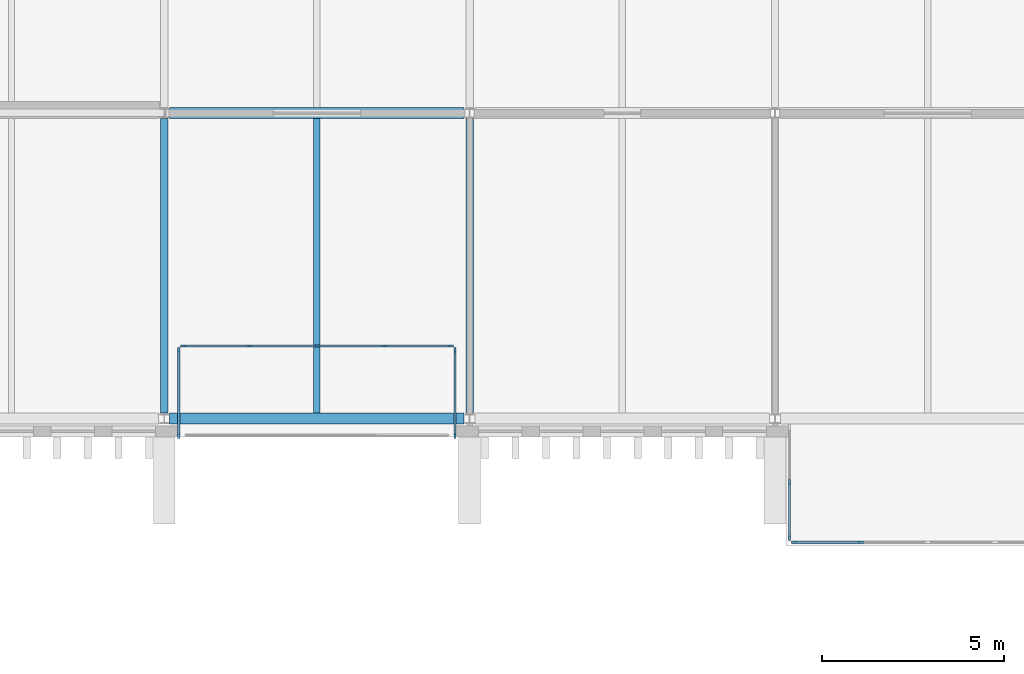
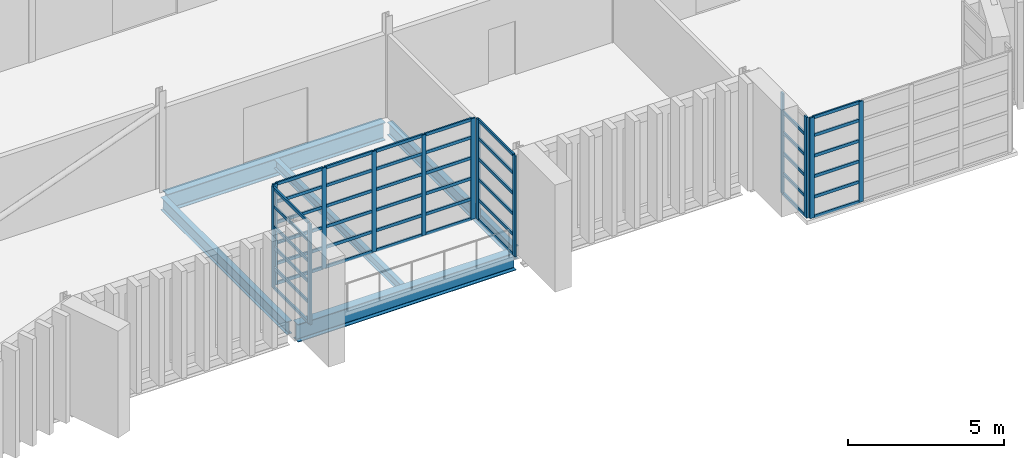
# One storey, part 24 of 88: 60 members, 5 beams, 5 elements without a shape of their own.
"""IFC4 building model written with IfcOpenShell, lengths in metres."""

from ifc_helpers import new_model, si_unit, direction, frame, origin, origin_2d, place, context, subcontext, project, spatial, rectangle, i_section, extrude, material, layer, layer_set, material_profile, profile_set, type_object, element, aggregate, save


model = new_model("IFC4")

# Units and contexts
model_context = context("Model", 3, precision=1e-05, world=origin(), true_north=direction((0.0, 1.0)))
body_context = subcontext(model_context, "Body", "Model", "MODEL_VIEW")
ifc_project = project(units=[si_unit("LENGTHUNIT", "METRE"), si_unit("AREAUNIT", "SQUARE_METRE"), si_unit("VOLUMEUNIT", "CUBIC_METRE"), si_unit("PLANEANGLEUNIT", "RADIAN"), si_unit("MASSUNIT", "GRAM", prefix="KILO")], contexts=[model_context])

# Site, building, storey
site_placement = place(None, origin())
site = spatial("IfcSite", under=ifc_project, at=site_placement, CompositionType="ELEMENT")
building_placement = place(site_placement, origin())
building = spatial("IfcBuilding", under=site, at=building_placement, Name="Cresset Court Congress Hotel", CompositionType="ELEMENT")
storey_placement = place(building_placement, frame((0.0, 0.0, 14.39990234375)))
storey = spatial("IfcBuildingStorey", under=building, at=storey_placement, Name="L03", CompositionType="ELEMENT", Elevation=14.39990234375)

# Curtain wall, members
ifc_material_1 = material(Name="Aluminium frame with double glazing", Category="aluminium")
ifc_layer = layer(ifc_material_1, 0.199951171875)
ifc_layer_set = layer_set([ifc_layer], Name="Glazed box curtain wall 1680 module")
curtain_wall_type = type_object("IfcCurtainWallType", Name="Glazed box curtain wall 1680 module", PredefinedType="NOTDEFINED", material=ifc_layer_set)
curtain_wall_1_placement = place(storey_placement, origin())
curtain_wall_1 = element("IfcCurtainWall", 1, at=curtain_wall_1_placement, inside=storey, type_object=curtain_wall_type, Name="Glazed box S0311 front", PredefinedType="NOTDEFINED")
ifc_material_2 = material(Name="Aluminium", Category="aluminium")
ifc_material_profile_1 = material_profile(ifc_material_2, rectangle(XDim=0.06005859375, YDim=0.159912109375, at=origin_2d()), Name="Box mullion 60x160")
ifc_profile_set_1 = profile_set([ifc_material_profile_1], Name="Aluminium")
member_type_1 = type_object("IfcMemberType", Name="Box mullion 60x160", PredefinedType="MULLION", material=ifc_profile_set_1)
member_1_placement = place(storey_placement, frame((76.1298828125, 2.0, 0.0), z_axis=(0.0, 0.0, 1.0), x_axis=(0.0, 1.0, 0.0)))
member_1 = element("IfcMember", 2, at=member_1_placement, type_object=member_type_1, Name="B-X1 mullion 1", PredefinedType="MULLION", context=body_context, shape_type="SweptSolid", body=[
    extrude(rectangle(XDim=0.06005859375, YDim=0.159912109375, at=origin_2d()), origin(), (0.0, 0.0, 1.0), 3.9501953125),
])
member_2_placement = place(storey_placement, frame((77.949951171875, 2.0, 0.0), z_axis=(0.0, 0.0, 1.0), x_axis=(0.0, 1.0, 0.0)))
member_2 = element("IfcMember", 3, at=member_2_placement, type_object=member_type_1, Name="B-X1 mullion 2", PredefinedType="MULLION", context=body_context, shape_type="SweptSolid", body=[
    extrude(rectangle(XDim=0.06005859375, YDim=0.159912109375, at=origin_2d()), origin(), (0.0, 0.0, 1.0), 3.9501953125),
])
member_3_placement = place(storey_placement, frame((79.800048828125, 2.0, 0.0), z_axis=(0.0, 0.0, 1.0), x_axis=(0.0, 1.0, 0.0)))
member_3 = element("IfcMember", 4, at=member_3_placement, type_object=member_type_1, Name="B-X1 mullion 3", PredefinedType="MULLION", context=body_context, shape_type="SweptSolid", body=[
    extrude(rectangle(XDim=0.06005859375, YDim=0.159912109375, at=origin_2d()), origin(), (0.0, 0.0, 1.0), 3.9501953125),
])
member_4_placement = place(storey_placement, frame((81.64990234375, 2.0, 0.0), z_axis=(0.0, 0.0, 1.0), x_axis=(0.0, 1.0, 0.0)))
member_4 = element("IfcMember", 5, at=member_4_placement, type_object=member_type_1, Name="B-X1 mullion 4", PredefinedType="MULLION", context=body_context, shape_type="SweptSolid", body=[
    extrude(rectangle(XDim=0.06005859375, YDim=0.159912109375, at=origin_2d()), origin(), (0.0, 0.0, 1.0), 3.9501953125),
])
member_5_placement = place(storey_placement, frame((83.469970703125, 2.0, 0.0), z_axis=(0.0, 0.0, 1.0), x_axis=(0.0, 1.0, 0.0)))
member_5 = element("IfcMember", 6, at=member_5_placement, type_object=member_type_1, Name="B-X1 mullion 5", PredefinedType="MULLION", context=body_context, shape_type="SweptSolid", body=[
    extrude(rectangle(XDim=0.06005859375, YDim=0.159912109375, at=origin_2d()), origin(), (0.0, 0.0, 1.0), 3.9501953125),
])

curtain_wall_2_placement = place(storey_placement, origin())
curtain_wall_2 = element("IfcCurtainWall", 7, at=curtain_wall_2_placement, inside=storey, type_object=curtain_wall_type, Name="Glazed box S0311 side", PredefinedType="NOTDEFINED")
member_6_placement = place(storey_placement, frame((76.0, -0.469970703125, 0.0), z_axis=(0.0, 0.0, 1.0), x_axis=(-1.0, 0.0, 0.0)))
member_6 = element("IfcMember", 8, at=member_6_placement, type_object=member_type_1, Name="B-X1 mullion 1", PredefinedType="MULLION", context=body_context, shape_type="SweptSolid", body=[
    extrude(rectangle(XDim=0.06005859375, YDim=0.159912109375, at=origin_2d()), origin(), (0.0, 0.0, 1.0), 3.9501953125),
])
member_7_placement = place(storey_placement, frame((76.0, 1.8701171875, 0.0), z_axis=(0.0, 0.0, 1.0), x_axis=(-1.0, 0.0, 0.0)))
member_7 = element("IfcMember", 9, at=member_7_placement, type_object=member_type_1, Name="B-X1 mullion 2", PredefinedType="MULLION", context=body_context, shape_type="SweptSolid", body=[
    extrude(rectangle(XDim=0.06005859375, YDim=0.159912109375, at=origin_2d()), origin(), (0.0, 0.0, 1.0), 3.9501953125),
])

curtain_wall_3_placement = place(storey_placement, origin())
curtain_wall_3 = element("IfcCurtainWall", 10, at=curtain_wall_3_placement, inside=storey, type_object=curtain_wall_type, Name="Glazed box S0311 side", PredefinedType="NOTDEFINED")
member_8_placement = place(storey_placement, frame((83.60009765625, -0.469970703125, 0.0), z_axis=(0.0, 0.0, 1.0), x_axis=(-1.0, 0.0, 0.0)))
member_8 = element("IfcMember", 11, at=member_8_placement, type_object=member_type_1, Name="B-X1 mullion 1", PredefinedType="MULLION", context=body_context, shape_type="SweptSolid", body=[
    extrude(rectangle(XDim=0.06005859375, YDim=0.159912109375, at=origin_2d()), origin(), (0.0, 0.0, 1.0), 3.9501953125),
])
member_9_placement = place(storey_placement, frame((83.60009765625, 1.8701171875, 0.0), z_axis=(0.0, 0.0, 1.0), x_axis=(-1.0, 0.0, 0.0)))
member_9 = element("IfcMember", 12, at=member_9_placement, type_object=member_type_1, Name="B-X1 mullion 2", PredefinedType="MULLION", context=body_context, shape_type="SweptSolid", body=[
    extrude(rectangle(XDim=0.06005859375, YDim=0.159912109375, at=origin_2d()), origin(), (0.0, 0.0, 1.0), 3.9501953125),
])

curtain_wall_4_placement = place(storey_placement, origin())
curtain_wall_4 = element("IfcCurtainWall", 13, at=curtain_wall_4_placement, inside=storey, type_object=curtain_wall_type, Name="Glazed box S0314 front", PredefinedType="NOTDEFINED")
member_10_placement = place(storey_placement, frame((92.929931640625, -3.39990234375, 0.0), z_axis=(0.0, 0.0, 1.0), x_axis=(0.0, 1.0, 0.0)))
member_10 = element("IfcMember", 14, at=member_10_placement, type_object=member_type_1, Name="B-X1 mullion 1", PredefinedType="MULLION", context=body_context, shape_type="SweptSolid", body=[
    extrude(rectangle(XDim=0.06005859375, YDim=0.159912109375, at=origin_2d()), origin(), (0.0, 0.0, 1.0), 3.9501953125),
])
member_11_placement = place(storey_placement, frame((94.75, -3.39990234375, 0.0), z_axis=(0.0, 0.0, 1.0), x_axis=(0.0, 1.0, 0.0)))
member_11 = element("IfcMember", 15, at=member_11_placement, type_object=member_type_1, Name="B-X1 mullion 2", PredefinedType="MULLION", context=body_context, shape_type="SweptSolid", body=[
    extrude(rectangle(XDim=0.06005859375, YDim=0.159912109375, at=origin_2d()), origin(), (0.0, 0.0, 1.0), 3.9501953125),
])

curtain_wall_5_placement = place(storey_placement, origin())
curtain_wall_5 = element("IfcCurtainWall", 16, at=curtain_wall_5_placement, inside=storey, type_object=curtain_wall_type, Name="Glazed box S0314 side", PredefinedType="NOTDEFINED")
member_12_placement = place(storey_placement, frame((92.800048828125, -1.75, 0.0), z_axis=(0.0, 0.0, 1.0), x_axis=(1.0, 0.0, 0.0)))
member_12 = element("IfcMember", 17, at=member_12_placement, type_object=member_type_1, Name="B-X1 mullion 2", PredefinedType="MULLION", context=body_context, shape_type="SweptSolid", body=[
    extrude(rectangle(XDim=0.06005859375, YDim=0.159912109375, at=origin_2d()), origin(), (0.0, 0.0, 1.0), 3.9501953125),
])
member_13_placement = place(storey_placement, frame((92.800048828125, -3.27001953125, 0.0), z_axis=(0.0, 0.0, 1.0), x_axis=(1.0, 0.0, 0.0)))
member_13 = element("IfcMember", 18, at=member_13_placement, type_object=member_type_1, Name="B-X1 mullion 3", PredefinedType="MULLION", context=body_context, shape_type="SweptSolid", body=[
    extrude(rectangle(XDim=0.06005859375, YDim=0.159912109375, at=origin_2d()), origin(), (0.0, 0.0, 1.0), 3.9501953125),
])

# Member
ifc_material_3 = material(Name="Aluminium", Category="aluminium")
ifc_material_profile_2 = material_profile(ifc_material_3, rectangle(XDim=0.06005859375, YDim=0.1201171875, at=origin_2d()), Name="Box transom 60x120")
ifc_profile_set_2 = profile_set([ifc_material_profile_2], Name="Aluminium")
member_type_2 = type_object("IfcMemberType", Name="Box transom 60x120", PredefinedType="USERDEFINED", material=ifc_profile_set_2)
member_14_placement = place(storey_placement, frame((76.159912109375, 2.0, 0.030029296875), z_axis=(1.0, 0.0, 0.0), x_axis=(0.0, 1.0, 0.0)))
member_14 = element("IfcMember", 19, at=member_14_placement, type_object=member_type_2, Name="B-X1 transom 1.1", ObjectType="TRANSOM", PredefinedType="USERDEFINED", context=body_context, shape_type="SweptSolid", body=[
    extrude(rectangle(XDim=0.06005859375, YDim=0.1201171875, at=origin_2d()), origin(), (0.0, 0.0, 1.0), 1.760009765625),
])

member_15_placement = place(storey_placement, frame((76.159912109375, 2.0, 0.80517578125), z_axis=(1.0, 0.0, 0.0), x_axis=(0.0, 1.0, 0.0)))
member_15 = element("IfcMember", 20, at=member_15_placement, type_object=member_type_2, Name="B-X1 transom 1.2", ObjectType="TRANSOM", PredefinedType="USERDEFINED", context=body_context, shape_type="SweptSolid", body=[
    extrude(rectangle(XDim=0.06005859375, YDim=0.1201171875, at=origin_2d()), origin(), (0.0, 0.0, 1.0), 1.760009765625),
])

member_16_placement = place(storey_placement, frame((76.159912109375, 2.0, 1.610107421875), z_axis=(1.0, 0.0, 0.0), x_axis=(0.0, 1.0, 0.0)))
member_16 = element("IfcMember", 21, at=member_16_placement, type_object=member_type_2, Name="B-X1 transom 1.3", ObjectType="TRANSOM", PredefinedType="USERDEFINED", context=body_context, shape_type="SweptSolid", body=[
    extrude(rectangle(XDim=0.06005859375, YDim=0.1201171875, at=origin_2d()), origin(), (0.0, 0.0, 1.0), 1.760009765625),
])

member_17_placement = place(storey_placement, frame((76.159912109375, 2.0, 2.4150390625), z_axis=(1.0, 0.0, 0.0), x_axis=(0.0, 1.0, 0.0)))
member_17 = element("IfcMember", 22, at=member_17_placement, type_object=member_type_2, Name="B-X1 transom 1.4", ObjectType="TRANSOM", PredefinedType="USERDEFINED", context=body_context, shape_type="SweptSolid", body=[
    extrude(rectangle(XDim=0.06005859375, YDim=0.1201171875, at=origin_2d()), origin(), (0.0, 0.0, 1.0), 1.760009765625),
])

member_18_placement = place(storey_placement, frame((76.159912109375, 2.0, 3.22021484375), z_axis=(1.0, 0.0, 0.0), x_axis=(0.0, 1.0, 0.0)))
member_18 = element("IfcMember", 23, at=member_18_placement, type_object=member_type_2, Name="B-X1 transom 1.5", ObjectType="TRANSOM", PredefinedType="USERDEFINED", context=body_context, shape_type="SweptSolid", body=[
    extrude(rectangle(XDim=0.06005859375, YDim=0.1201171875, at=origin_2d()), origin(), (0.0, 0.0, 1.0), 1.760009765625),
])

member_19_placement = place(storey_placement, frame((76.159912109375, 2.0, 3.920166015625), z_axis=(1.0, 0.0, 0.0), x_axis=(0.0, 1.0, 0.0)))
member_19 = element("IfcMember", 24, at=member_19_placement, type_object=member_type_2, Name="B-X1 transom 1.6", ObjectType="TRANSOM", PredefinedType="USERDEFINED", context=body_context, shape_type="SweptSolid", body=[
    extrude(rectangle(XDim=0.06005859375, YDim=0.1201171875, at=origin_2d()), origin(), (0.0, 0.0, 1.0), 1.760009765625),
])

member_20_placement = place(storey_placement, frame((77.97998046875, 2.0, 0.030029296875), z_axis=(1.0, 0.0, 0.0), x_axis=(0.0, 1.0, 0.0)))
member_20 = element("IfcMember", 25, at=member_20_placement, type_object=member_type_2, Name="B-X1 transom 2.1", ObjectType="TRANSOM", PredefinedType="USERDEFINED", context=body_context, shape_type="SweptSolid", body=[
    extrude(rectangle(XDim=0.06005859375, YDim=0.1201171875, at=origin_2d()), origin(), (0.0, 0.0, 1.0), 1.7900390625),
])

member_21_placement = place(storey_placement, frame((77.97998046875, 2.0, 0.80517578125), z_axis=(1.0, 0.0, 0.0), x_axis=(0.0, 1.0, 0.0)))
member_21 = element("IfcMember", 26, at=member_21_placement, type_object=member_type_2, Name="B-X1 transom 2.2", ObjectType="TRANSOM", PredefinedType="USERDEFINED", context=body_context, shape_type="SweptSolid", body=[
    extrude(rectangle(XDim=0.06005859375, YDim=0.1201171875, at=origin_2d()), origin(), (0.0, 0.0, 1.0), 1.7900390625),
])

member_22_placement = place(storey_placement, frame((77.97998046875, 2.0, 1.610107421875), z_axis=(1.0, 0.0, 0.0), x_axis=(0.0, 1.0, 0.0)))
member_22 = element("IfcMember", 27, at=member_22_placement, type_object=member_type_2, Name="B-X1 transom 2.3", ObjectType="TRANSOM", PredefinedType="USERDEFINED", context=body_context, shape_type="SweptSolid", body=[
    extrude(rectangle(XDim=0.06005859375, YDim=0.1201171875, at=origin_2d()), origin(), (0.0, 0.0, 1.0), 1.7900390625),
])

member_23_placement = place(storey_placement, frame((77.97998046875, 2.0, 2.4150390625), z_axis=(1.0, 0.0, 0.0), x_axis=(0.0, 1.0, 0.0)))
member_23 = element("IfcMember", 28, at=member_23_placement, type_object=member_type_2, Name="B-X1 transom 2.4", ObjectType="TRANSOM", PredefinedType="USERDEFINED", context=body_context, shape_type="SweptSolid", body=[
    extrude(rectangle(XDim=0.06005859375, YDim=0.1201171875, at=origin_2d()), origin(), (0.0, 0.0, 1.0), 1.7900390625),
])

member_24_placement = place(storey_placement, frame((77.97998046875, 2.0, 3.22021484375), z_axis=(1.0, 0.0, 0.0), x_axis=(0.0, 1.0, 0.0)))
member_24 = element("IfcMember", 29, at=member_24_placement, type_object=member_type_2, Name="B-X1 transom 2.5", ObjectType="TRANSOM", PredefinedType="USERDEFINED", context=body_context, shape_type="SweptSolid", body=[
    extrude(rectangle(XDim=0.06005859375, YDim=0.1201171875, at=origin_2d()), origin(), (0.0, 0.0, 1.0), 1.7900390625),
])

member_25_placement = place(storey_placement, frame((77.97998046875, 2.0, 3.920166015625), z_axis=(1.0, 0.0, 0.0), x_axis=(0.0, 1.0, 0.0)))
member_25 = element("IfcMember", 30, at=member_25_placement, type_object=member_type_2, Name="B-X1 transom 2.6", ObjectType="TRANSOM", PredefinedType="USERDEFINED", context=body_context, shape_type="SweptSolid", body=[
    extrude(rectangle(XDim=0.06005859375, YDim=0.1201171875, at=origin_2d()), origin(), (0.0, 0.0, 1.0), 1.7900390625),
])

member_26_placement = place(storey_placement, frame((79.830078125, 2.0, 0.030029296875), z_axis=(1.0, 0.0, 0.0), x_axis=(0.0, 1.0, 0.0)))
member_26 = element("IfcMember", 31, at=member_26_placement, type_object=member_type_2, Name="B-X1 transom 3.1", ObjectType="TRANSOM", PredefinedType="USERDEFINED", context=body_context, shape_type="SweptSolid", body=[
    extrude(rectangle(XDim=0.06005859375, YDim=0.1201171875, at=origin_2d()), origin(), (0.0, 0.0, 1.0), 1.7900390625),
])

member_27_placement = place(storey_placement, frame((79.830078125, 2.0, 0.80517578125), z_axis=(1.0, 0.0, 0.0), x_axis=(0.0, 1.0, 0.0)))
member_27 = element("IfcMember", 32, at=member_27_placement, type_object=member_type_2, Name="B-X1 transom 3.2", ObjectType="TRANSOM", PredefinedType="USERDEFINED", context=body_context, shape_type="SweptSolid", body=[
    extrude(rectangle(XDim=0.06005859375, YDim=0.1201171875, at=origin_2d()), origin(), (0.0, 0.0, 1.0), 1.7900390625),
])

member_28_placement = place(storey_placement, frame((79.830078125, 2.0, 1.610107421875), z_axis=(1.0, 0.0, 0.0), x_axis=(0.0, 1.0, 0.0)))
member_28 = element("IfcMember", 33, at=member_28_placement, type_object=member_type_2, Name="B-X1 transom 3.3", ObjectType="TRANSOM", PredefinedType="USERDEFINED", context=body_context, shape_type="SweptSolid", body=[
    extrude(rectangle(XDim=0.06005859375, YDim=0.1201171875, at=origin_2d()), origin(), (0.0, 0.0, 1.0), 1.7900390625),
])

member_29_placement = place(storey_placement, frame((79.830078125, 2.0, 2.4150390625), z_axis=(1.0, 0.0, 0.0), x_axis=(0.0, 1.0, 0.0)))
member_29 = element("IfcMember", 34, at=member_29_placement, type_object=member_type_2, Name="B-X1 transom 3.4", ObjectType="TRANSOM", PredefinedType="USERDEFINED", context=body_context, shape_type="SweptSolid", body=[
    extrude(rectangle(XDim=0.06005859375, YDim=0.1201171875, at=origin_2d()), origin(), (0.0, 0.0, 1.0), 1.7900390625),
])

member_30_placement = place(storey_placement, frame((79.830078125, 2.0, 3.22021484375), z_axis=(1.0, 0.0, 0.0), x_axis=(0.0, 1.0, 0.0)))
member_30 = element("IfcMember", 35, at=member_30_placement, type_object=member_type_2, Name="B-X1 transom 3.5", ObjectType="TRANSOM", PredefinedType="USERDEFINED", context=body_context, shape_type="SweptSolid", body=[
    extrude(rectangle(XDim=0.06005859375, YDim=0.1201171875, at=origin_2d()), origin(), (0.0, 0.0, 1.0), 1.7900390625),
])

member_31_placement = place(storey_placement, frame((79.830078125, 2.0, 3.920166015625), z_axis=(1.0, 0.0, 0.0), x_axis=(0.0, 1.0, 0.0)))
member_31 = element("IfcMember", 36, at=member_31_placement, type_object=member_type_2, Name="B-X1 transom 3.6", ObjectType="TRANSOM", PredefinedType="USERDEFINED", context=body_context, shape_type="SweptSolid", body=[
    extrude(rectangle(XDim=0.06005859375, YDim=0.1201171875, at=origin_2d()), origin(), (0.0, 0.0, 1.0), 1.7900390625),
])

member_32_placement = place(storey_placement, frame((81.679931640625, 2.0, 0.030029296875), z_axis=(1.0, 0.0, 0.0), x_axis=(0.0, 1.0, 0.0)))
member_32 = element("IfcMember", 37, at=member_32_placement, type_object=member_type_2, Name="B-X1 transom 4.1", ObjectType="TRANSOM", PredefinedType="USERDEFINED", context=body_context, shape_type="SweptSolid", body=[
    extrude(rectangle(XDim=0.06005859375, YDim=0.1201171875, at=origin_2d()), origin(), (0.0, 0.0, 1.0), 1.760009765625),
])

member_33_placement = place(storey_placement, frame((81.679931640625, 2.0, 0.80517578125), z_axis=(1.0, 0.0, 0.0), x_axis=(0.0, 1.0, 0.0)))
member_33 = element("IfcMember", 38, at=member_33_placement, type_object=member_type_2, Name="B-X1 transom 4.2", ObjectType="TRANSOM", PredefinedType="USERDEFINED", context=body_context, shape_type="SweptSolid", body=[
    extrude(rectangle(XDim=0.06005859375, YDim=0.1201171875, at=origin_2d()), origin(), (0.0, 0.0, 1.0), 1.760009765625),
])

member_34_placement = place(storey_placement, frame((81.679931640625, 2.0, 1.610107421875), z_axis=(1.0, 0.0, 0.0), x_axis=(0.0, 1.0, 0.0)))
member_34 = element("IfcMember", 39, at=member_34_placement, type_object=member_type_2, Name="B-X1 transom 4.3", ObjectType="TRANSOM", PredefinedType="USERDEFINED", context=body_context, shape_type="SweptSolid", body=[
    extrude(rectangle(XDim=0.06005859375, YDim=0.1201171875, at=origin_2d()), origin(), (0.0, 0.0, 1.0), 1.760009765625),
])

member_35_placement = place(storey_placement, frame((81.679931640625, 2.0, 2.4150390625), z_axis=(1.0, 0.0, 0.0), x_axis=(0.0, 1.0, 0.0)))
member_35 = element("IfcMember", 40, at=member_35_placement, type_object=member_type_2, Name="B-X1 transom 4.4", ObjectType="TRANSOM", PredefinedType="USERDEFINED", context=body_context, shape_type="SweptSolid", body=[
    extrude(rectangle(XDim=0.06005859375, YDim=0.1201171875, at=origin_2d()), origin(), (0.0, 0.0, 1.0), 1.760009765625),
])

member_36_placement = place(storey_placement, frame((81.679931640625, 2.0, 3.22021484375), z_axis=(1.0, 0.0, 0.0), x_axis=(0.0, 1.0, 0.0)))
member_36 = element("IfcMember", 41, at=member_36_placement, type_object=member_type_2, Name="B-X1 transom 4.5", ObjectType="TRANSOM", PredefinedType="USERDEFINED", context=body_context, shape_type="SweptSolid", body=[
    extrude(rectangle(XDim=0.06005859375, YDim=0.1201171875, at=origin_2d()), origin(), (0.0, 0.0, 1.0), 1.760009765625),
])

member_37_placement = place(storey_placement, frame((81.679931640625, 2.0, 3.920166015625), z_axis=(1.0, 0.0, 0.0), x_axis=(0.0, 1.0, 0.0)))
member_37 = element("IfcMember", 42, at=member_37_placement, type_object=member_type_2, Name="B-X1 transom 4.6", ObjectType="TRANSOM", PredefinedType="USERDEFINED", context=body_context, shape_type="SweptSolid", body=[
    extrude(rectangle(XDim=0.06005859375, YDim=0.1201171875, at=origin_2d()), origin(), (0.0, 0.0, 1.0), 1.760009765625),
])

aggregate(curtain_wall_1, [member_1, member_2, member_3, member_4, member_5, member_14, member_15, member_16, member_17, member_18, member_19, member_20, member_21, member_22, member_23, member_24, member_25, member_26, member_27, member_28, member_29, member_30, member_31, member_32, member_33, member_34, member_35, member_36, member_37])

member_38_placement = place(storey_placement, frame((76.0, -0.43994140625, 0.030029296875), z_axis=(0.0, 1.0, 0.0), x_axis=(-1.0, 0.0, 0.0)))
member_38 = element("IfcMember", 43, at=member_38_placement, type_object=member_type_2, Name="B-X1 transom 1.1", ObjectType="TRANSOM", PredefinedType="USERDEFINED", context=body_context, shape_type="SweptSolid", body=[
    extrude(rectangle(XDim=0.06005859375, YDim=0.1201171875, at=origin_2d()), origin(), (0.0, 0.0, 1.0), 2.280029296875),
])

member_39_placement = place(storey_placement, frame((76.0, -0.43994140625, 0.80517578125), z_axis=(0.0, 1.0, 0.0), x_axis=(-1.0, 0.0, 0.0)))
member_39 = element("IfcMember", 44, at=member_39_placement, type_object=member_type_2, Name="B-X1 transom 1.2", ObjectType="TRANSOM", PredefinedType="USERDEFINED", context=body_context, shape_type="SweptSolid", body=[
    extrude(rectangle(XDim=0.06005859375, YDim=0.1201171875, at=origin_2d()), origin(), (0.0, 0.0, 1.0), 2.280029296875),
])

member_40_placement = place(storey_placement, frame((76.0, -0.43994140625, 1.610107421875), z_axis=(0.0, 1.0, 0.0), x_axis=(-1.0, 0.0, 0.0)))
member_40 = element("IfcMember", 45, at=member_40_placement, type_object=member_type_2, Name="B-X1 transom 1.3", ObjectType="TRANSOM", PredefinedType="USERDEFINED", context=body_context, shape_type="SweptSolid", body=[
    extrude(rectangle(XDim=0.06005859375, YDim=0.1201171875, at=origin_2d()), origin(), (0.0, 0.0, 1.0), 2.280029296875),
])

member_41_placement = place(storey_placement, frame((76.0, -0.43994140625, 2.4150390625), z_axis=(0.0, 1.0, 0.0), x_axis=(-1.0, 0.0, 0.0)))
member_41 = element("IfcMember", 46, at=member_41_placement, type_object=member_type_2, Name="B-X1 transom 1.4", ObjectType="TRANSOM", PredefinedType="USERDEFINED", context=body_context, shape_type="SweptSolid", body=[
    extrude(rectangle(XDim=0.06005859375, YDim=0.1201171875, at=origin_2d()), origin(), (0.0, 0.0, 1.0), 2.280029296875),
])

member_42_placement = place(storey_placement, frame((76.0, -0.43994140625, 3.22021484375), z_axis=(0.0, 1.0, 0.0), x_axis=(-1.0, 0.0, 0.0)))
member_42 = element("IfcMember", 47, at=member_42_placement, type_object=member_type_2, Name="B-X1 transom 1.5", ObjectType="TRANSOM", PredefinedType="USERDEFINED", context=body_context, shape_type="SweptSolid", body=[
    extrude(rectangle(XDim=0.06005859375, YDim=0.1201171875, at=origin_2d()), origin(), (0.0, 0.0, 1.0), 2.280029296875),
])

member_43_placement = place(storey_placement, frame((76.0, -0.43994140625, 3.920166015625), z_axis=(0.0, 1.0, 0.0), x_axis=(-1.0, 0.0, 0.0)))
member_43 = element("IfcMember", 48, at=member_43_placement, type_object=member_type_2, Name="B-X1 transom 1.6", ObjectType="TRANSOM", PredefinedType="USERDEFINED", context=body_context, shape_type="SweptSolid", body=[
    extrude(rectangle(XDim=0.06005859375, YDim=0.1201171875, at=origin_2d()), origin(), (0.0, 0.0, 1.0), 2.280029296875),
])

aggregate(curtain_wall_2, [member_6, member_7, member_38, member_39, member_40, member_41, member_42, member_43])

member_44_placement = place(storey_placement, frame((83.60009765625, -0.43994140625, 0.030029296875), z_axis=(0.0, 1.0, 0.0), x_axis=(-1.0, 0.0, 0.0)))
member_44 = element("IfcMember", 49, at=member_44_placement, type_object=member_type_2, Name="B-X1 transom 1.1", ObjectType="TRANSOM", PredefinedType="USERDEFINED", context=body_context, shape_type="SweptSolid", body=[
    extrude(rectangle(XDim=0.06005859375, YDim=0.1201171875, at=origin_2d()), origin(), (0.0, 0.0, 1.0), 2.280029296875),
])

member_45_placement = place(storey_placement, frame((83.60009765625, -0.43994140625, 0.80517578125), z_axis=(0.0, 1.0, 0.0), x_axis=(-1.0, 0.0, 0.0)))
member_45 = element("IfcMember", 50, at=member_45_placement, type_object=member_type_2, Name="B-X1 transom 1.2", ObjectType="TRANSOM", PredefinedType="USERDEFINED", context=body_context, shape_type="SweptSolid", body=[
    extrude(rectangle(XDim=0.06005859375, YDim=0.1201171875, at=origin_2d()), origin(), (0.0, 0.0, 1.0), 2.280029296875),
])

member_46_placement = place(storey_placement, frame((83.60009765625, -0.43994140625, 1.610107421875), z_axis=(0.0, 1.0, 0.0), x_axis=(-1.0, 0.0, 0.0)))
member_46 = element("IfcMember", 51, at=member_46_placement, type_object=member_type_2, Name="B-X1 transom 1.3", ObjectType="TRANSOM", PredefinedType="USERDEFINED", context=body_context, shape_type="SweptSolid", body=[
    extrude(rectangle(XDim=0.06005859375, YDim=0.1201171875, at=origin_2d()), origin(), (0.0, 0.0, 1.0), 2.280029296875),
])

member_47_placement = place(storey_placement, frame((83.60009765625, -0.43994140625, 2.4150390625), z_axis=(0.0, 1.0, 0.0), x_axis=(-1.0, 0.0, 0.0)))
member_47 = element("IfcMember", 52, at=member_47_placement, type_object=member_type_2, Name="B-X1 transom 1.4", ObjectType="TRANSOM", PredefinedType="USERDEFINED", context=body_context, shape_type="SweptSolid", body=[
    extrude(rectangle(XDim=0.06005859375, YDim=0.1201171875, at=origin_2d()), origin(), (0.0, 0.0, 1.0), 2.280029296875),
])

member_48_placement = place(storey_placement, frame((83.60009765625, -0.43994140625, 3.22021484375), z_axis=(0.0, 1.0, 0.0), x_axis=(-1.0, 0.0, 0.0)))
member_48 = element("IfcMember", 53, at=member_48_placement, type_object=member_type_2, Name="B-X1 transom 1.5", ObjectType="TRANSOM", PredefinedType="USERDEFINED", context=body_context, shape_type="SweptSolid", body=[
    extrude(rectangle(XDim=0.06005859375, YDim=0.1201171875, at=origin_2d()), origin(), (0.0, 0.0, 1.0), 2.280029296875),
])

member_49_placement = place(storey_placement, frame((83.60009765625, -0.43994140625, 3.920166015625), z_axis=(0.0, 1.0, 0.0), x_axis=(-1.0, 0.0, 0.0)))
member_49 = element("IfcMember", 54, at=member_49_placement, type_object=member_type_2, Name="B-X1 transom 1.6", ObjectType="TRANSOM", PredefinedType="USERDEFINED", context=body_context, shape_type="SweptSolid", body=[
    extrude(rectangle(XDim=0.06005859375, YDim=0.1201171875, at=origin_2d()), origin(), (0.0, 0.0, 1.0), 2.280029296875),
])

aggregate(curtain_wall_3, [member_8, member_9, member_44, member_45, member_46, member_47, member_48, member_49])

member_50_placement = place(storey_placement, frame((92.9599609375, -3.39990234375, 0.030029296875), z_axis=(1.0, 0.0, 0.0), x_axis=(0.0, 1.0, 0.0)))
member_50 = element("IfcMember", 55, at=member_50_placement, type_object=member_type_2, Name="B-X1 transom 1.1", ObjectType="TRANSOM", PredefinedType="USERDEFINED", context=body_context, shape_type="SweptSolid", body=[
    extrude(rectangle(XDim=0.06005859375, YDim=0.1201171875, at=origin_2d()), origin(), (0.0, 0.0, 1.0), 1.760009765625),
])

member_51_placement = place(storey_placement, frame((92.9599609375, -3.39990234375, 0.80517578125), z_axis=(1.0, 0.0, 0.0), x_axis=(0.0, 1.0, 0.0)))
member_51 = element("IfcMember", 56, at=member_51_placement, type_object=member_type_2, Name="B-X1 transom 1.2", ObjectType="TRANSOM", PredefinedType="USERDEFINED", context=body_context, shape_type="SweptSolid", body=[
    extrude(rectangle(XDim=0.06005859375, YDim=0.1201171875, at=origin_2d()), origin(), (0.0, 0.0, 1.0), 1.760009765625),
])

member_52_placement = place(storey_placement, frame((92.9599609375, -3.39990234375, 1.610107421875), z_axis=(1.0, 0.0, 0.0), x_axis=(0.0, 1.0, 0.0)))
member_52 = element("IfcMember", 57, at=member_52_placement, type_object=member_type_2, Name="B-X1 transom 1.3", ObjectType="TRANSOM", PredefinedType="USERDEFINED", context=body_context, shape_type="SweptSolid", body=[
    extrude(rectangle(XDim=0.06005859375, YDim=0.1201171875, at=origin_2d()), origin(), (0.0, 0.0, 1.0), 1.760009765625),
])

member_53_placement = place(storey_placement, frame((92.9599609375, -3.39990234375, 2.4150390625), z_axis=(1.0, 0.0, 0.0), x_axis=(0.0, 1.0, 0.0)))
member_53 = element("IfcMember", 58, at=member_53_placement, type_object=member_type_2, Name="B-X1 transom 1.4", ObjectType="TRANSOM", PredefinedType="USERDEFINED", context=body_context, shape_type="SweptSolid", body=[
    extrude(rectangle(XDim=0.06005859375, YDim=0.1201171875, at=origin_2d()), origin(), (0.0, 0.0, 1.0), 1.760009765625),
])

member_54_placement = place(storey_placement, frame((92.9599609375, -3.39990234375, 3.22021484375), z_axis=(1.0, 0.0, 0.0), x_axis=(0.0, 1.0, 0.0)))
member_54 = element("IfcMember", 59, at=member_54_placement, type_object=member_type_2, Name="B-X1 transom 1.5", ObjectType="TRANSOM", PredefinedType="USERDEFINED", context=body_context, shape_type="SweptSolid", body=[
    extrude(rectangle(XDim=0.06005859375, YDim=0.1201171875, at=origin_2d()), origin(), (0.0, 0.0, 1.0), 1.760009765625),
])

member_55_placement = place(storey_placement, frame((92.9599609375, -3.39990234375, 3.920166015625), z_axis=(1.0, 0.0, 0.0), x_axis=(0.0, 1.0, 0.0)))
member_55 = element("IfcMember", 60, at=member_55_placement, type_object=member_type_2, Name="B-X1 transom 1.6", ObjectType="TRANSOM", PredefinedType="USERDEFINED", context=body_context, shape_type="SweptSolid", body=[
    extrude(rectangle(XDim=0.06005859375, YDim=0.1201171875, at=origin_2d()), origin(), (0.0, 0.0, 1.0), 1.760009765625),
])

aggregate(curtain_wall_4, [member_10, member_11, member_50, member_51, member_52, member_53, member_54, member_55])

member_56_placement = place(storey_placement, frame((92.800048828125, -1.780029296875, 0.030029296875), z_axis=(0.0, -1.0, 0.0), x_axis=(1.0, 0.0, 0.0)))
member_56 = element("IfcMember", 61, at=member_56_placement, type_object=member_type_2, Name="B-X1 transom 2.1", ObjectType="TRANSOM", PredefinedType="USERDEFINED", context=body_context, shape_type="SweptSolid", body=[
    extrude(rectangle(XDim=0.06005859375, YDim=0.1201171875, at=origin_2d()), origin(), (0.0, 0.0, 1.0), 1.4599609375),
])

member_57_placement = place(storey_placement, frame((92.800048828125, -1.780029296875, 0.80517578125), z_axis=(0.0, -1.0, 0.0), x_axis=(1.0, 0.0, 0.0)))
member_57 = element("IfcMember", 62, at=member_57_placement, type_object=member_type_2, Name="B-X1 transom 2.2", ObjectType="TRANSOM", PredefinedType="USERDEFINED", context=body_context, shape_type="SweptSolid", body=[
    extrude(rectangle(XDim=0.06005859375, YDim=0.1201171875, at=origin_2d()), origin(), (0.0, 0.0, 1.0), 1.4599609375),
])

member_58_placement = place(storey_placement, frame((92.800048828125, -1.780029296875, 1.610107421875), z_axis=(0.0, -1.0, 0.0), x_axis=(1.0, 0.0, 0.0)))
member_58 = element("IfcMember", 63, at=member_58_placement, type_object=member_type_2, Name="B-X1 transom 2.3", ObjectType="TRANSOM", PredefinedType="USERDEFINED", context=body_context, shape_type="SweptSolid", body=[
    extrude(rectangle(XDim=0.06005859375, YDim=0.1201171875, at=origin_2d()), origin(), (0.0, 0.0, 1.0), 1.4599609375),
])

member_59_placement = place(storey_placement, frame((92.800048828125, -1.780029296875, 2.4150390625), z_axis=(0.0, -1.0, 0.0), x_axis=(1.0, 0.0, 0.0)))
member_59 = element("IfcMember", 64, at=member_59_placement, type_object=member_type_2, Name="B-X1 transom 2.4", ObjectType="TRANSOM", PredefinedType="USERDEFINED", context=body_context, shape_type="SweptSolid", body=[
    extrude(rectangle(XDim=0.06005859375, YDim=0.1201171875, at=origin_2d()), origin(), (0.0, 0.0, 1.0), 1.4599609375),
])

member_60_placement = place(storey_placement, frame((92.800048828125, -1.780029296875, 3.22021484375), z_axis=(0.0, -1.0, 0.0), x_axis=(1.0, 0.0, 0.0)))
member_60 = element("IfcMember", 65, at=member_60_placement, type_object=member_type_2, Name="B-X1 transom 2.5", ObjectType="TRANSOM", PredefinedType="USERDEFINED", context=body_context, shape_type="SweptSolid", body=[
    extrude(rectangle(XDim=0.06005859375, YDim=0.1201171875, at=origin_2d()), origin(), (0.0, 0.0, 1.0), 1.4599609375),
])

aggregate(curtain_wall_5, [member_12, member_13, member_56, member_57, member_58, member_59, member_60])

# Beams
ifc_material_4 = material(Name="Structural steel Q355B", Category="steel")
ifc_material_profile_3 = material_profile(ifc_material_4, i_section(OverallWidth=0.199951171875, OverallDepth=0.5, WebThickness=0.010009765625, FlangeThickness=0.01611328125, FilletRadius=0.012939453125, at=origin_2d()), Name="HN500x200x10x16")
ifc_profile_set_3 = profile_set([ifc_material_profile_3], Name="Structural steel Q355B")
beam_type_1 = type_object("IfcBeamType", Name="Steel beam HN500x200x10x16", PredefinedType="BEAM", material=ifc_profile_set_3)
for number, where, z_axis, x_axis, name in (
    (66, (75.60009765625, 0.14990234375, -0.39990234375), (0.0, 1.0, 0.0), (-1.0, 0.0, 0.0), "B.by.L03.10A"),
    (67, (84.0, 0.14990234375, -0.39990234375), (0.0, 1.0, 0.0), (-1.0, 0.0, 0.0), "B.by.L03.11A"),
):
    element("IfcBeam", number, at=place(storey_placement, frame(where, z_axis=z_axis, x_axis=x_axis)), inside=storey, type_object=beam_type_1, Name=name, PredefinedType="BEAM", context=body_context, shape_type="SweptSolid", body=[
        extrude(i_section(OverallWidth=0.199951171875, OverallDepth=0.5, WebThickness=0.010009765625, FlangeThickness=0.01611328125, FilletRadius=0.012939453125, at=origin_2d()), origin(), (0.0, 0.0, 1.0), 8.10009765625),
    ])
ifc_material_5 = material(Name="Structural steel Q355B", Category="steel")
ifc_material_profile_4 = material_profile(ifc_material_5, i_section(OverallWidth=0.300048828125, OverallDepth=0.699951171875, WebThickness=0.012939453125, FlangeThickness=0.02392578125, FilletRadius=0.01806640625, at=origin_2d()), Name="HN700x300x13x24")
ifc_profile_set_4 = profile_set([ifc_material_profile_4], Name="Structural steel Q355B")
beam_type_2 = type_object("IfcBeamType", Name="Steel beam HN700x300x13x24", PredefinedType="BEAM", material=ifc_profile_set_4)
for number, where, z_axis, x_axis, name in (
    (68, (75.75, 0.0, -0.5), (1.0, 0.0, 0.0), (0.0, 1.0, 0.0), "B.bx.L03.A10"),
    (69, (75.75, 8.39990234375, -0.5), (1.0, 0.0, 0.0), (0.0, 1.0, 0.0), "B.bx.L03.B10"),
):
    element("IfcBeam", number, at=place(storey_placement, frame(where, z_axis=z_axis, x_axis=x_axis)), inside=storey, type_object=beam_type_2, Name=name, PredefinedType="BEAM", context=body_context, shape_type="SweptSolid", body=[
        extrude(i_section(OverallWidth=0.300048828125, OverallDepth=0.699951171875, WebThickness=0.012939453125, FlangeThickness=0.02392578125, FilletRadius=0.01806640625, at=origin_2d()), origin(), (0.0, 0.0, 1.0), 8.10009765625),
    ])
ifc_material_6 = material(Name="Structural steel Q355B", Category="steel")
ifc_material_profile_5 = material_profile(ifc_material_6, i_section(OverallWidth=0.175048828125, OverallDepth=0.35009765625, WebThickness=0.007080078125, FlangeThickness=0.010986328125, FilletRadius=0.012939453125, at=origin_2d()), Name="HN350x175x7x11")
ifc_profile_set_5 = profile_set([ifc_material_profile_5], Name="Structural steel Q355B")
beam_type_3 = type_object("IfcBeamType", Name="Steel joist HN350x175x7x11", PredefinedType="JOIST", material=ifc_profile_set_5)
beam_placement = place(storey_placement, frame((79.800048828125, 0.14990234375, -0.324951171875), z_axis=(0.0, 1.0, 0.0), x_axis=(-1.0, 0.0, 0.0)))
element("IfcBeam", 70, at=beam_placement, inside=storey, type_object=beam_type_3, Name="B.bj.L03.10A", PredefinedType="JOIST", context=body_context, shape_type="SweptSolid", body=[
    extrude(i_section(OverallWidth=0.175048828125, OverallDepth=0.35009765625, WebThickness=0.007080078125, FlangeThickness=0.010986328125, FilletRadius=0.012939453125, at=origin_2d()), origin(), (0.0, 0.0, 1.0), 8.10009765625),
])

save(model, "model.ifc")
